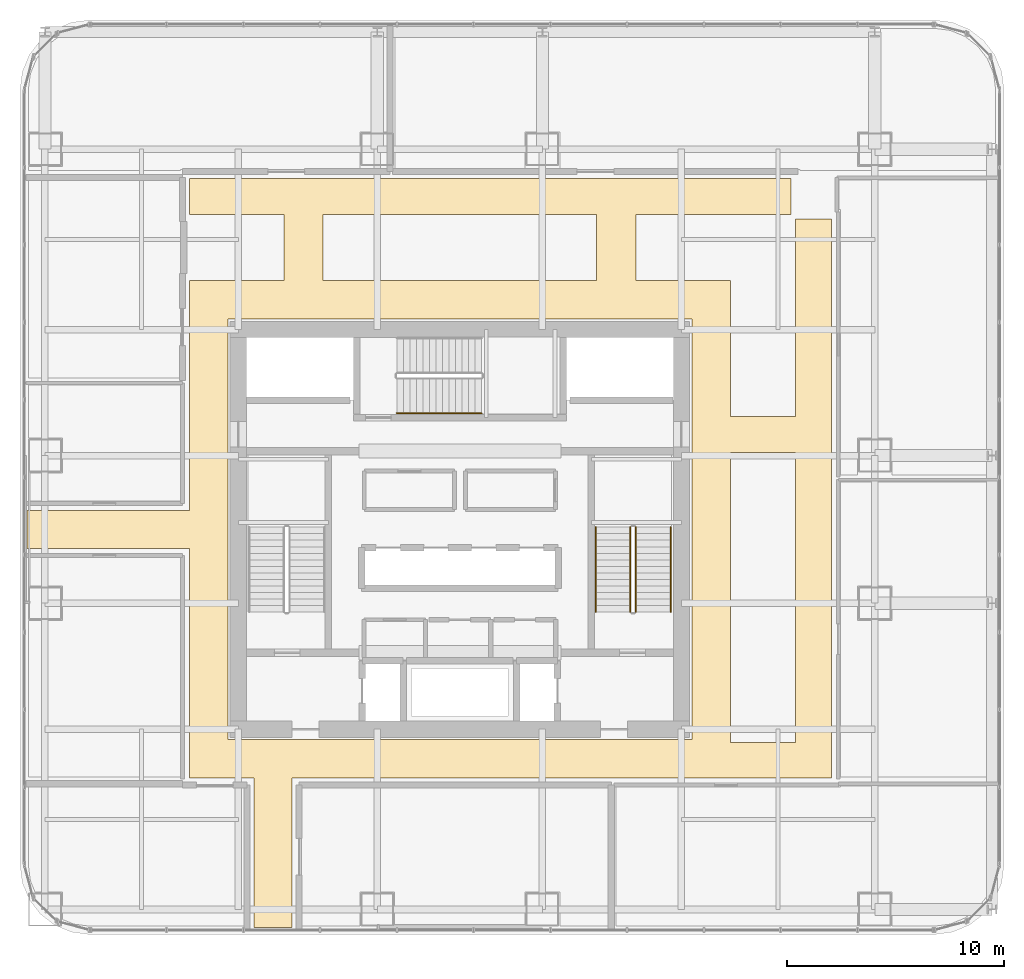
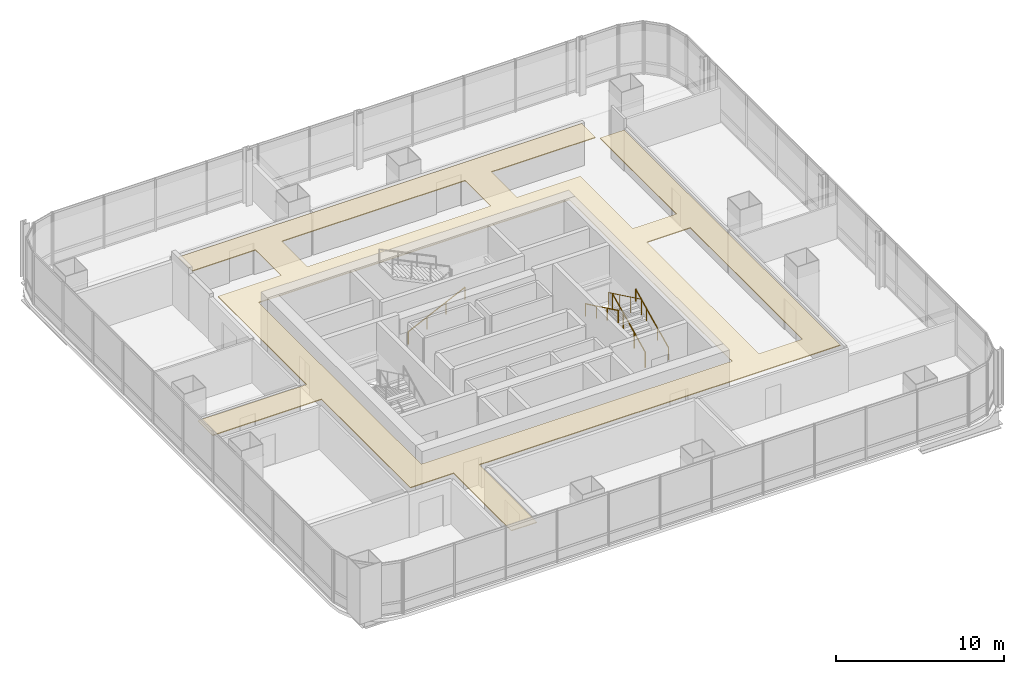
# One storey, part 32 of 34: 5 railings, 1 covering.
"""IFC4 building model written with IfcOpenShell, lengths in metres."""

from ifc_helpers import new_model, si_unit, direction, frame, origin, origin_2d, place, context, subcontext, project, spatial, polyline, circle, outline, extrude, material, layer, layer_set, type_object, element, save


model = new_model("IFC4")

# Units and contexts
model_context = context("Model", 3, precision=1e-05, world=origin(), true_north=direction((0.0, 1.0)))
body_context = subcontext(model_context, "Body", "Model", "MODEL_VIEW")
ifc_project = project(units=[si_unit("LENGTHUNIT", "METRE"), si_unit("AREAUNIT", "SQUARE_METRE"), si_unit("VOLUMEUNIT", "CUBIC_METRE"), si_unit("PLANEANGLEUNIT", "RADIAN"), si_unit("MASSUNIT", "GRAM", prefix="KILO")], contexts=[model_context])

# Site, building, storey
site_placement = place(None, origin())
site = spatial("IfcSite", under=ifc_project, at=site_placement, CompositionType="ELEMENT")
building_placement = place(site_placement, origin())
building = spatial("IfcBuilding", under=site, at=building_placement, Name="Punatoya Terracotta Tower", CompositionType="ELEMENT")
storey_placement = place(building_placement, frame((0.0, 0.0, 101.10009765625)))
storey = spatial("IfcBuildingStorey", under=building, at=storey_placement, Name="L23", CompositionType="ELEMENT", Elevation=101.10009765625)

# Covering
ifc_material_1 = material(Name="Acoustic Mineral Fibre Ceiling")
ifc_layer = layer(ifc_material_1, 0.06005859375)
ifc_layer_set = layer_set([ifc_layer], Name="Acoustic Mineral Fibre Ceiling")
covering_type = type_object("IfcCoveringType", Name="COV-CEIL-60", PredefinedType="CEILING", material=ifc_layer_set)
covering_placement = place(storey_placement, frame((0.0, 0.0, 3.199951171875)))
element("IfcCovering", 1, at=covering_placement, inside=storey, type_object=covering_type, Name="L23 Ring Circulation Corridor Acoustic Ceiling", PredefinedType="CEILING", context=body_context, shape_type="SweptSolid", body=[
    extrude(outline(polyline([(-7.719970703125, -18.330078125), (-7.719970703125, -11.449951171875), (17.10009765625, -11.449951171875), (17.10009765625, 14.300048828125), (15.449951171875, 14.300048828125), (15.449951171875, 5.199951171875), (12.449951171875, 5.199951171875), (12.449951171875, 11.449951171875), (8.10009765625, 11.449951171875), (8.10009765625, 14.5), (15.25, 14.5), (15.25, 16.14990234375), (-12.449951171875, 16.14990234375), (-12.449951171875, 14.5), (-8.10009765625, 14.5), (-8.10009765625, 11.449951171875), (-12.449951171875, 11.449951171875), (-12.449951171875, 0.8798828125), (-19.929931640625, 0.8798828125), (-19.929931640625, -0.8798828125), (-12.449951171875, -0.8798828125), (-12.449951171875, -11.449951171875), (-9.47998046875, -11.449951171875), (-9.47998046875, -18.330078125), (-7.719970703125, -18.330078125)]), holes=[polyline([(15.449951171875, -9.800048828125), (12.449951171875, -9.800048828125), (12.449951171875, 3.550048828125), (15.449951171875, 3.550048828125), (15.449951171875, -9.800048828125)]), polyline([(10.679931640625, 9.679931640625), (10.679931640625, -9.679931640625), (-10.679931640625, -9.679931640625), (-10.679931640625, 9.679931640625), (10.679931640625, 9.679931640625)]), polyline([(6.300048828125, 14.5), (6.300048828125, 11.449951171875), (-6.300048828125, 11.449951171875), (-6.300048828125, 14.5), (6.300048828125, 14.5)])]), origin(), (0.0, 0.0, 1.0), 0.06005859375),
])

# Railings
ifc_material_2 = material(Name="Steel S355", Category="steel")
railing_type_1 = type_object("IfcRailingType", Name="RLG-GRD-1150", PredefinedType="GUARDRAIL", material=ifc_material_2)
railing_1_placement = place(storey_placement, frame((8.10009765625, -3.800048828125, 0.14453125)))
element("IfcRailing", 2, at=railing_1_placement, inside=storey, type_object=railing_type_1, Name="L23 ST-2 stair guard 1", PredefinedType="GUARDRAIL", context=body_context, shape_type="SweptSolid", body=[
    extrude(circle(Radius=0.02392578125, at=origin_2d()), frame((0.0, 0.0, 1.1259765625), z_axis=(0.0, 0.900773802044, 0.434288564841), x_axis=(-1.0, 0.0, 0.0)), (0.0, 0.0, 1.0), 4.329833984375),
    extrude(circle(Radius=0.02099609375, at=origin_2d()), origin(), (0.0, 0.0, 1.0), 1.101806640625),
    extrude(circle(Radius=0.02099609375, at=origin_2d()), frame((0.0, 1.300048828125, 0.626708984375)), (0.0, 0.0, 1.0), 1.101806640625),
    extrude(circle(Radius=0.02099609375, at=origin_2d()), frame((0.0, 2.60009765625, 1.253662109375)), (0.0, 0.0, 1.0), 1.101806640625),
    extrude(circle(Radius=0.02099609375, at=origin_2d()), frame((0.0, 3.900146484375, 1.88037109375)), (0.0, 0.0, 1.0), 1.101806640625),
])
railing_2_placement = place(storey_placement, frame((7.85009765625, 0.10009765625, 2.16943359375)))
element("IfcRailing", 3, at=railing_2_placement, inside=storey, type_object=railing_type_1, Name="L23 ST-2 stair guard 3", PredefinedType="GUARDRAIL", context=body_context, shape_type="SweptSolid", body=[
    extrude(circle(Radius=0.02392578125, at=origin_2d()), frame((0.0, 0.0, 1.1259765625), z_axis=(0.0, -0.900773802044, 0.434288564841), x_axis=(1.0, 0.0, 0.0)), (0.0, 0.0, 1.0), 4.329833984375),
    extrude(circle(Radius=0.02099609375, at=origin_2d()), origin(), (0.0, 0.0, 1.0), 1.101806640625),
    extrude(circle(Radius=0.02099609375, at=origin_2d()), frame((0.0, -1.300048828125, 0.626708984375)), (0.0, 0.0, 1.0), 1.101806640625),
    extrude(circle(Radius=0.02099609375, at=origin_2d()), frame((0.0, -2.60009765625, 1.253662109375)), (0.0, 0.0, 1.0), 1.101806640625),
    extrude(circle(Radius=0.02099609375, at=origin_2d()), frame((0.0, -3.900146484375, 1.88037109375)), (0.0, 0.0, 1.0), 1.101806640625),
])
railing_type_2 = type_object("IfcRailingType", Name="RLG-HND-900", PredefinedType="HANDRAIL", material=ifc_material_2)
railing_3_placement = place(storey_placement, frame((9.699951171875, -3.800048828125, 0.14453125)))
element("IfcRailing", 4, at=railing_3_placement, inside=storey, type_object=railing_type_2, Name="L23 ST-2 stair handrail 1", PredefinedType="HANDRAIL", context=body_context, shape_type="SweptSolid", body=[
    extrude(circle(Radius=0.02392578125, at=origin_2d()), frame((0.0, 0.0, 0.8759765625), z_axis=(0.0, 0.900773802044, 0.434288564841), x_axis=(-1.0, 0.0, 0.0)), (0.0, 0.0, 1.0), 4.329833984375),
    extrude(circle(Radius=0.02099609375, at=origin_2d()), origin(), (0.0, 0.0, 1.0), 0.851806640625),
    extrude(circle(Radius=0.02099609375, at=origin_2d()), frame((0.0, 1.300048828125, 0.626708984375)), (0.0, 0.0, 1.0), 0.851806640625),
    extrude(circle(Radius=0.02099609375, at=origin_2d()), frame((0.0, 2.60009765625, 1.253662109375)), (0.0, 0.0, 1.0), 0.851806640625),
    extrude(circle(Radius=0.02099609375, at=origin_2d()), frame((0.0, 3.900146484375, 1.88037109375)), (0.0, 0.0, 1.0), 0.851806640625),
])
railing_4_placement = place(storey_placement, frame((6.25, 0.10009765625, 2.16943359375)))
element("IfcRailing", 5, at=railing_4_placement, inside=storey, type_object=railing_type_2, Name="L23 ST-2 stair handrail 2", PredefinedType="HANDRAIL", context=body_context, shape_type="SweptSolid", body=[
    extrude(circle(Radius=0.02392578125, at=origin_2d()), frame((0.0, 0.0, 0.8759765625), z_axis=(0.0, -0.900773802044, 0.434288564841), x_axis=(1.0, 0.0, 0.0)), (0.0, 0.0, 1.0), 4.329833984375),
    extrude(circle(Radius=0.02099609375, at=origin_2d()), origin(), (0.0, 0.0, 1.0), 0.851806640625),
    extrude(circle(Radius=0.02099609375, at=origin_2d()), frame((0.0, -1.300048828125, 0.626708984375)), (0.0, 0.0, 1.0), 0.851806640625),
    extrude(circle(Radius=0.02099609375, at=origin_2d()), frame((0.0, -2.60009765625, 1.253662109375)), (0.0, 0.0, 1.0), 0.851806640625),
    extrude(circle(Radius=0.02099609375, at=origin_2d()), frame((0.0, -3.900146484375, 1.88037109375)), (0.0, 0.0, 1.0), 0.851806640625),
])
railing_5_placement = place(storey_placement, frame((-2.89990234375, 5.35009765625, 0.14453125)))
element("IfcRailing", 6, at=railing_5_placement, inside=storey, type_object=railing_type_2, Name="L23 ST-3 stair handrail 1", PredefinedType="HANDRAIL", context=body_context, shape_type="SweptSolid", body=[
    extrude(circle(Radius=0.02392578125, at=origin_2d()), frame((0.0, 0.0, 0.8759765625), z_axis=(0.900763166376, 0.0, 0.434310623978), x_axis=(0.0, 1.0, 0.0)), (0.0, 0.0, 1.0), 4.32958984375),
    extrude(circle(Radius=0.02099609375, at=origin_2d()), origin(), (0.0, 0.0, 1.0), 0.851806640625),
    extrude(circle(Radius=0.02099609375, at=origin_2d()), frame((1.300048828125, 0.0, 0.626708984375)), (0.0, 0.0, 1.0), 0.851806640625),
    extrude(circle(Radius=0.02099609375, at=origin_2d()), frame((2.599853515625, 0.0, 1.253662109375)), (0.0, 0.0, 1.0), 0.851806640625),
    extrude(circle(Radius=0.02099609375, at=origin_2d()), frame((3.89990234375, 0.0, 1.88037109375)), (0.0, 0.0, 1.0), 0.851806640625),
])

save(model, "model.ifc")
